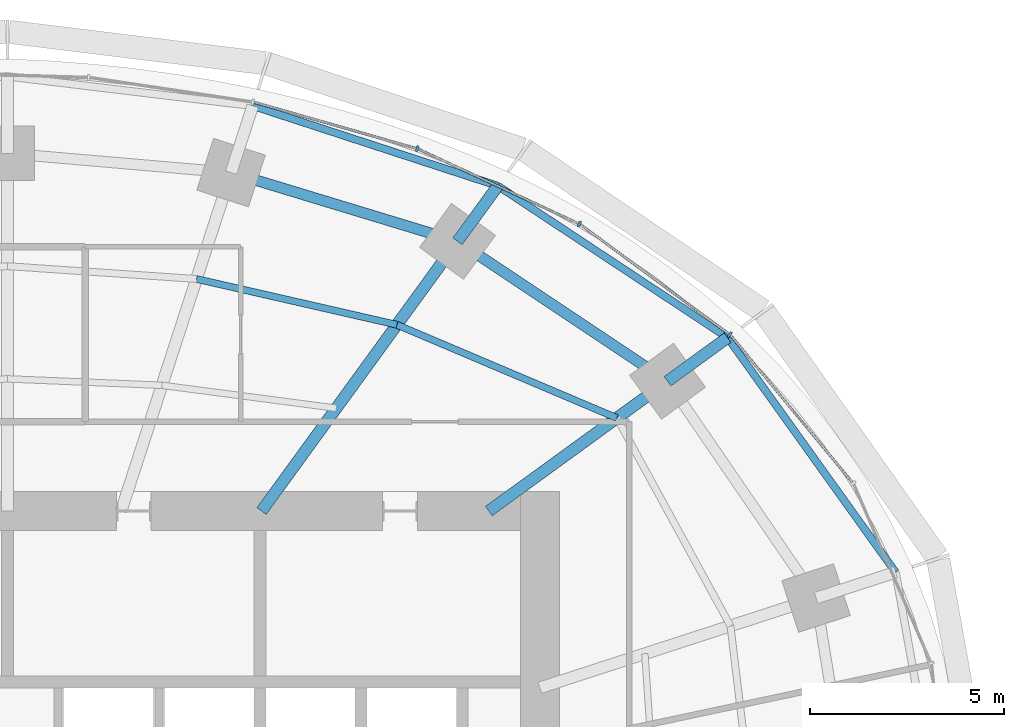
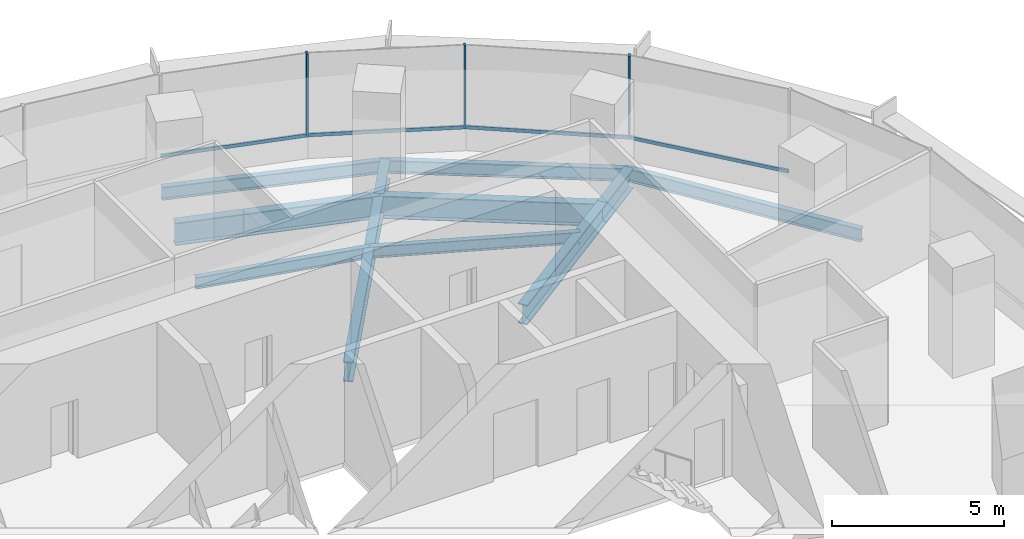
# One storey, part 8 of 15: 11 beams, 7 members, 2 elements without a shape of their own.
"""IFC4 building model written with IfcOpenShell, lengths in metres."""

from ifc_helpers import new_model, si_unit, direction, frame, origin, origin_2d, place, context, subcontext, project, spatial, rectangle, i_section, extrude, material, material_profile, profile_set, type_object, element, aggregate, save


model = new_model("IFC4")

# Units and contexts
model_context = context("Model", 3, precision=1e-05, world=origin(), true_north=direction((0.0, 1.0)))
body_context = subcontext(model_context, "Body", "Model", "MODEL_VIEW")
ifc_project = project(units=[si_unit("LENGTHUNIT", "METRE"), si_unit("AREAUNIT", "SQUARE_METRE"), si_unit("VOLUMEUNIT", "CUBIC_METRE"), si_unit("PLANEANGLEUNIT", "RADIAN"), si_unit("MASSUNIT", "GRAM", prefix="KILO")], contexts=[model_context])

# Site, building, storey
site_placement = place(None, origin())
site = spatial("IfcSite", under=ifc_project, at=site_placement, CompositionType="ELEMENT")
building_placement = place(site_placement, origin())
building = spatial("IfcBuilding", under=site, at=building_placement, Name="Marramba Exchange Tower", CompositionType="ELEMENT")
storey_placement = place(building_placement, frame((0.0, 0.0, 230.60009765625)))
storey = spatial("IfcBuildingStorey", under=building, at=storey_placement, Name="L56", CompositionType="ELEMENT", Elevation=230.60009765625)

# Beams
ifc_material_1 = material(Name="Steel AS/NZS 3679.2 grade 300", Category="steel")
ifc_material_profile_1 = material_profile(ifc_material_1, i_section(OverallWidth=0.300048828125, OverallDepth=0.699951171875, WebThickness=0.010009765625, FlangeThickness=0.031982421875, at=origin_2d()), Name="700WB173")
ifc_profile_set_1 = profile_set([ifc_material_profile_1], Name="Steel AS/NZS 3679.2 grade 300")
beam_type_1 = type_object("IfcBeamType", Name="Cantilever girder 700WB173", PredefinedType="BEAM", material=ifc_profile_set_1)
beam_1_placement = place(storey_placement, frame((16.98583984375, 12.3408203125, -0.510009765625), z_axis=(0.808962750283, 0.587859905636, 0.0), x_axis=(-0.587859905636, 0.808962750283, 0.0)))
element("IfcBeam", 1, at=beam_1_placement, inside=storey, type_object=beam_type_1, Name="Cantilever girder L56 TC03", PredefinedType="BEAM", context=body_context, shape_type="SweptSolid", body=[
    extrude(i_section(OverallWidth=0.300048828125, OverallDepth=0.699951171875, WebThickness=0.010009765625, FlangeThickness=0.031982421875, at=origin_2d()), origin(), (0.0, 0.0, 1.0), 1.9091796875),
])
beam_2_placement = place(storey_placement, frame((11.581298828125, 15.9404296875, -0.510009765625), z_axis=(0.587817766387, 0.808993370504, 0.0), x_axis=(-0.808993370504, 0.587817766387, 0.0)))
element("IfcBeam", 2, at=beam_2_placement, inside=storey, type_object=beam_type_1, Name="Cantilever girder L56 TC04", PredefinedType="BEAM", context=body_context, shape_type="SweptSolid", body=[
    extrude(i_section(OverallWidth=0.300048828125, OverallDepth=0.699951171875, WebThickness=0.010009765625, FlangeThickness=0.031982421875, at=origin_2d()), origin(), (0.0, 0.0, 1.0), 1.763916015625),
])
ifc_material_2 = material(Name="Steel AS/NZS 3679.1 grade 300", Category="steel")
ifc_material_profile_2 = material_profile(ifc_material_2, i_section(OverallWidth=0.177978515625, OverallDepth=0.406005859375, WebThickness=0.0078125, FlangeThickness=0.0126953125, FilletRadius=0.011474609375, at=origin_2d()), Name="410UB59.7")
ifc_profile_set_2 = profile_set([ifc_material_profile_2], Name="Steel AS/NZS 3679.1 grade 300")
beam_type_2 = type_object("IfcBeamType", Name="Floor joist 410UB59.7", PredefinedType="JOIST", material=ifc_profile_set_2)
beam_3_placement = place(storey_placement, frame((15.682373046875, 11.393798828125, -0.363037109375), z_axis=(-0.920674336375, 0.390331610738, 0.0), x_axis=(-0.390331610738, -0.920674336375, 0.0)))
element("IfcBeam", 3, at=beam_3_placement, inside=storey, type_object=beam_type_2, Name="Joist L56 bay 03 row 2", PredefinedType="JOIST", context=body_context, shape_type="SweptSolid", body=[
    extrude(i_section(OverallWidth=0.177978515625, OverallDepth=0.406005859375, WebThickness=0.0078125, FlangeThickness=0.0126953125, FilletRadius=0.011474609375, at=origin_2d()), origin(), (0.0, 0.0, 1.0), 6.1484375),
])
beam_4_placement = place(storey_placement, frame((10.021728515625, 13.793701171875, -0.363037109375), z_axis=(-0.974859652292, 0.222819788916, 0.0), x_axis=(-0.222819788916, -0.974859652292, 0.0)))
element("IfcBeam", 4, at=beam_4_placement, inside=storey, type_object=beam_type_2, Name="Joist L56 bay 04 row 2", PredefinedType="JOIST", context=body_context, shape_type="SweptSolid", body=[
    extrude(i_section(OverallWidth=0.177978515625, OverallDepth=0.406005859375, WebThickness=0.0078125, FlangeThickness=0.0126953125, FilletRadius=0.011474609375, at=origin_2d()), origin(), (0.0, 0.0, 1.0), 5.2900390625),
])

# Curtain wall, members
ifc_material_3 = material(Name="Aluminium framing, bronze anodised", Category="aluminium")
curtain_wall_type = type_object("IfcCurtainWallType", Name="Office ribbon curtain wall", PredefinedType="USERDEFINED", material=ifc_material_3)
curtain_wall_1_placement = place(storey_placement, origin())
curtain_wall_1 = element("IfcCurtainWall", 5, at=curtain_wall_1_placement, inside=storey, type_object=curtain_wall_type, Name="Curtain wall CW4 L56 F01-F05", ObjectType="RIBBON CURTAIN WALL", PredefinedType="USERDEFINED")
ifc_material_4 = material(Name="Aluminium mullion, bronze anodised", Category="aluminium")
ifc_material_profile_3 = material_profile(ifc_material_4, rectangle(XDim=0.159912109375, YDim=0.06005859375, at=origin_2d()), Name="CW4 mullion 60x160")
ifc_profile_set_3 = profile_set([ifc_material_profile_3], Name="Aluminium mullion, bronze anodised")
member_type_1 = type_object("IfcMemberType", Name="Office ribbon curtain wall mullion", PredefinedType="MULLION", material=ifc_profile_set_3)
member_1_placement = place(storey_placement, frame((18.587158203125, 13.53955078125, 0.7998046875), z_axis=(0.0, 0.0, 1.0), x_axis=(-0.593441317494, -0.804877259395, 0.0)))
member_1 = element("IfcMember", 6, at=member_1_placement, type_object=member_type_1, Name="CW4 mullion 1", PredefinedType="MULLION", context=body_context, shape_type="SweptSolid", body=[
    extrude(rectangle(XDim=0.159912109375, YDim=0.06005859375, at=origin_2d()), origin(), (0.0, 0.0, 1.0), 2.940185546875),
])
member_2_placement = place(storey_placement, frame((14.7158203125, 16.386474609375, 0.7998046875), z_axis=(0.0, 0.0, 1.0), x_axis=(-0.422133006189, -0.906533907301, 0.0)))
member_2 = element("IfcMember", 7, at=member_2_placement, type_object=member_type_1, Name="CW4 mullion 1", PredefinedType="MULLION", context=body_context, shape_type="SweptSolid", body=[
    extrude(rectangle(XDim=0.159912109375, YDim=0.06005859375, at=origin_2d()), origin(), (0.0, 0.0, 1.0), 2.940185546875),
])

# Curtain wall, member
curtain_wall_2_placement = place(storey_placement, origin())
curtain_wall_2 = element("IfcCurtainWall", 8, at=curtain_wall_2_placement, inside=storey, type_object=curtain_wall_type, Name="Curtain wall CW4 L56 F06-F10", ObjectType="RIBBON CURTAIN WALL", PredefinedType="USERDEFINED")
member_3_placement = place(storey_placement, frame((10.54541015625, 18.3232421875, 0.7998046875), z_axis=(0.0, 0.0, 1.0), x_axis=(-0.274248164656, -0.961658954195, 0.0)))
member_3 = element("IfcMember", 9, at=member_3_placement, type_object=member_type_1, Name="CW4 mullion 1", PredefinedType="MULLION", context=body_context, shape_type="SweptSolid", body=[
    extrude(rectangle(XDim=0.159912109375, YDim=0.06005859375, at=origin_2d()), origin(), (0.0, 0.0, 1.0), 2.940185546875),
])

# Member
ifc_material_5 = material(Name="Aluminium transom, bronze anodised", Category="aluminium")
ifc_material_profile_4 = material_profile(ifc_material_5, rectangle(XDim=0.06005859375, YDim=0.1201171875, at=origin_2d()), Name="CW4 transom 60x120")
ifc_profile_set_4 = profile_set([ifc_material_profile_4], Name="Aluminium transom, bronze anodised")
member_type_2 = type_object("IfcMemberType", Name="Office ribbon curtain wall transom", PredefinedType="USERDEFINED", material=ifc_profile_set_4)
member_4_placement = place(storey_placement, frame((21.73779296875, 9.74169921875, 0.829833984375), z_axis=(-0.637375191043, 0.770553609973, 0.0), x_axis=(-0.770553609973, -0.637375191043, 0.0)))
member_4 = element("IfcMember", 10, at=member_4_placement, type_object=member_type_2, Name="CW4 sill transom", ObjectType="TRANSOM", PredefinedType="USERDEFINED", context=body_context, shape_type="SweptSolid", body=[
    extrude(rectangle(XDim=0.06005859375, YDim=0.1201171875, at=origin_2d()), origin(), (0.0, 0.0, 1.0), 4.905517578125),
])

member_5_placement = place(storey_placement, frame((18.56298828125, 13.557373046875, 0.829833984375), z_axis=(-0.804874780157, 0.593444680039, 0.0), x_axis=(-0.593444680039, -0.804874780157, 0.0)))
member_5 = element("IfcMember", 11, at=member_5_placement, type_object=member_type_2, Name="CW4 sill transom", ObjectType="TRANSOM", PredefinedType="USERDEFINED", context=body_context, shape_type="SweptSolid", body=[
    extrude(rectangle(XDim=0.06005859375, YDim=0.1201171875, at=origin_2d()), origin(), (0.0, 0.0, 1.0), 4.745849609375),
])

member_6_placement = place(storey_placement, frame((14.688720703125, 16.399169921875, 0.829833984375), z_axis=(-0.906548348139, 0.422101992989, 0.0), x_axis=(-0.422101992989, -0.906548348139, 0.0)))
member_6 = element("IfcMember", 12, at=member_6_placement, type_object=member_type_2, Name="CW4 sill transom", ObjectType="TRANSOM", PredefinedType="USERDEFINED", context=body_context, shape_type="SweptSolid", body=[
    extrude(rectangle(XDim=0.06005859375, YDim=0.1201171875, at=origin_2d()), origin(), (0.0, 0.0, 1.0), 4.53857421875),
])

aggregate(curtain_wall_1, [member_4, member_1, member_5, member_2, member_6])

member_7_placement = place(storey_placement, frame((10.5166015625, 18.33154296875, 0.829833984375), z_axis=(-0.961661807825, 0.274238158125, 0.0), x_axis=(-0.274238158125, -0.961661807825, 0.0)))
member_7 = element("IfcMember", 13, at=member_7_placement, type_object=member_type_2, Name="CW4 sill transom", ObjectType="TRANSOM", PredefinedType="USERDEFINED", context=body_context, shape_type="SweptSolid", body=[
    extrude(rectangle(XDim=0.06005859375, YDim=0.1201171875, at=origin_2d()), origin(), (0.0, 0.0, 1.0), 4.340087890625),
])

aggregate(curtain_wall_2, [member_3, member_7])

# Beams
ifc_material_profile_5 = material_profile(ifc_material_1, i_section(OverallWidth=0.300048828125, OverallDepth=0.699951171875, WebThickness=0.010009765625, FlangeThickness=0.031982421875, at=origin_2d()), Name="700WB173")
ifc_profile_set_5 = profile_set([ifc_material_profile_5], Name="Steel AS/NZS 3679.2 grade 300")
beam_type_3 = type_object("IfcBeamType", Name="Radial girder 700WB173", PredefinedType="BEAM", material=ifc_profile_set_5)
beam_5_placement = place(storey_placement, frame((12.387451171875, 9.0, -0.510009765625), z_axis=(0.809025746925, 0.587773205252, 0.0), x_axis=(-0.587773205252, 0.809025746925, 0.0)))
element("IfcBeam", 14, at=beam_5_placement, inside=storey, type_object=beam_type_3, Name="Radial girder L56 TC03", PredefinedType="BEAM", context=body_context, shape_type="SweptSolid", body=[
    extrude(i_section(OverallWidth=0.300048828125, OverallDepth=0.699951171875, WebThickness=0.010009765625, FlangeThickness=0.031982421875, at=origin_2d()), origin(), (0.0, 0.0, 1.0), 5.683837890625),
])
beam_6_placement = place(storey_placement, frame((6.538818359375, 9.0, -0.510009765625), z_axis=(0.587782439969, 0.80901903764, 0.0), x_axis=(-0.80901903764, 0.587782439969, 0.0)))
element("IfcBeam", 15, at=beam_6_placement, inside=storey, type_object=beam_type_3, Name="Radial girder L56 TC04", PredefinedType="BEAM", context=body_context, shape_type="SweptSolid", body=[
    extrude(i_section(OverallWidth=0.300048828125, OverallDepth=0.699951171875, WebThickness=0.010009765625, FlangeThickness=0.031982421875, at=origin_2d()), origin(), (0.0, 0.0, 1.0), 8.578857421875),
])
ifc_material_profile_6 = material_profile(ifc_material_1, i_section(OverallWidth=0.27490234375, OverallDepth=0.800048828125, WebThickness=0.010009765625, FlangeThickness=0.02490234375, at=origin_2d()), Name="800WB168")
ifc_profile_set_6 = profile_set([ifc_material_profile_6], Name="Steel AS/NZS 3679.2 grade 300")
beam_type_4 = type_object("IfcBeamType", Name="Ring beam 800WB168", PredefinedType="SPANDREL", material=ifc_profile_set_6)
beam_7_placement = place(storey_placement, frame((16.98583984375, 12.3408203125, -0.56005859375), z_axis=(-0.832293151443, 0.554335737673, 0.0), x_axis=(-0.554335737673, -0.832293151443, 0.0)))
element("IfcBeam", 16, at=beam_7_placement, inside=storey, type_object=beam_type_4, Name="Ring beam L56 TC03-TC04", PredefinedType="SPANDREL", context=body_context, shape_type="SweptSolid", body=[
    extrude(i_section(OverallWidth=0.27490234375, OverallDepth=0.800048828125, WebThickness=0.010009765625, FlangeThickness=0.02490234375, at=origin_2d()), origin(), (0.0, 0.0, 1.0), 6.49365234375),
])
beam_8_placement = place(storey_placement, frame((11.581298828125, 15.9404296875, -0.56005859375), z_axis=(-0.956924542524, 0.290336735387, 0.0), x_axis=(-0.290336735387, -0.956924542524, 0.0)))
element("IfcBeam", 17, at=beam_8_placement, inside=storey, type_object=beam_type_4, Name="Ring beam L56 TC04-TC05", PredefinedType="SPANDREL", context=body_context, shape_type="SweptSolid", body=[
    extrude(i_section(OverallWidth=0.27490234375, OverallDepth=0.800048828125, WebThickness=0.010009765625, FlangeThickness=0.02490234375, at=origin_2d()), origin(), (0.0, 0.0, 1.0), 6.089599609375),
])
ifc_material_profile_7 = material_profile(ifc_material_2, i_section(OverallWidth=0.19091796875, OverallDepth=0.4599609375, WebThickness=0.010009765625, FlangeThickness=0.01611328125, FilletRadius=0.011474609375, at=origin_2d()), Name="460UB82.1")
ifc_profile_set_7 = profile_set([ifc_material_profile_7], Name="Steel AS/NZS 3679.1 grade 300")
beam_type_5 = type_object("IfcBeamType", Name="Slab edge beam 460UB82.1", PredefinedType="SPANDREL", material=ifc_profile_set_7)
beam_9_placement = place(storey_placement, frame((22.853515625, 7.425537109375, -0.39013671875), z_axis=(-0.582189457885, 0.813053156398, 0.0), x_axis=(-0.813053156398, -0.582189457885, 0.0)))
element("IfcBeam", 18, at=beam_9_placement, inside=storey, type_object=beam_type_5, Name="Slab edge beam L56 TC02-TC03", PredefinedType="SPANDREL", context=body_context, shape_type="SweptSolid", body=[
    extrude(i_section(OverallWidth=0.19091796875, OverallDepth=0.4599609375, WebThickness=0.010009765625, FlangeThickness=0.01611328125, FilletRadius=0.011474609375, at=origin_2d()), origin(), (0.0, 0.0, 1.0), 7.42578125),
])
beam_10_placement = place(storey_placement, frame((18.5302734375, 13.463134765625, -0.39013671875), z_axis=(-0.834459826117, 0.551068778463, 0.0), x_axis=(-0.551068778463, -0.834459826117, 0.0)))
element("IfcBeam", 19, at=beam_10_placement, inside=storey, type_object=beam_type_5, Name="Slab edge beam L56 TC03-TC04", PredefinedType="SPANDREL", context=body_context, shape_type="SweptSolid", body=[
    extrude(i_section(OverallWidth=0.19091796875, OverallDepth=0.4599609375, WebThickness=0.010009765625, FlangeThickness=0.01611328125, FilletRadius=0.011474609375, at=origin_2d()), origin(), (0.0, 0.0, 1.0), 7.0849609375),
])
beam_11_placement = place(storey_placement, frame((12.6181640625, 17.367431640625, -0.39013671875), z_axis=(-0.950608559101, 0.310392279809, 0.0), x_axis=(-0.310392279809, -0.950608559101, 0.0)))
element("IfcBeam", 20, at=beam_11_placement, inside=storey, type_object=beam_type_5, Name="Slab edge beam L56 TC04-TC05", PredefinedType="SPANDREL", context=body_context, shape_type="SweptSolid", body=[
    extrude(i_section(OverallWidth=0.19091796875, OverallDepth=0.4599609375, WebThickness=0.010009765625, FlangeThickness=0.01611328125, FilletRadius=0.011474609375, at=origin_2d()), origin(), (0.0, 0.0, 1.0), 6.6337890625),
])

save(model, "model.ifc")
